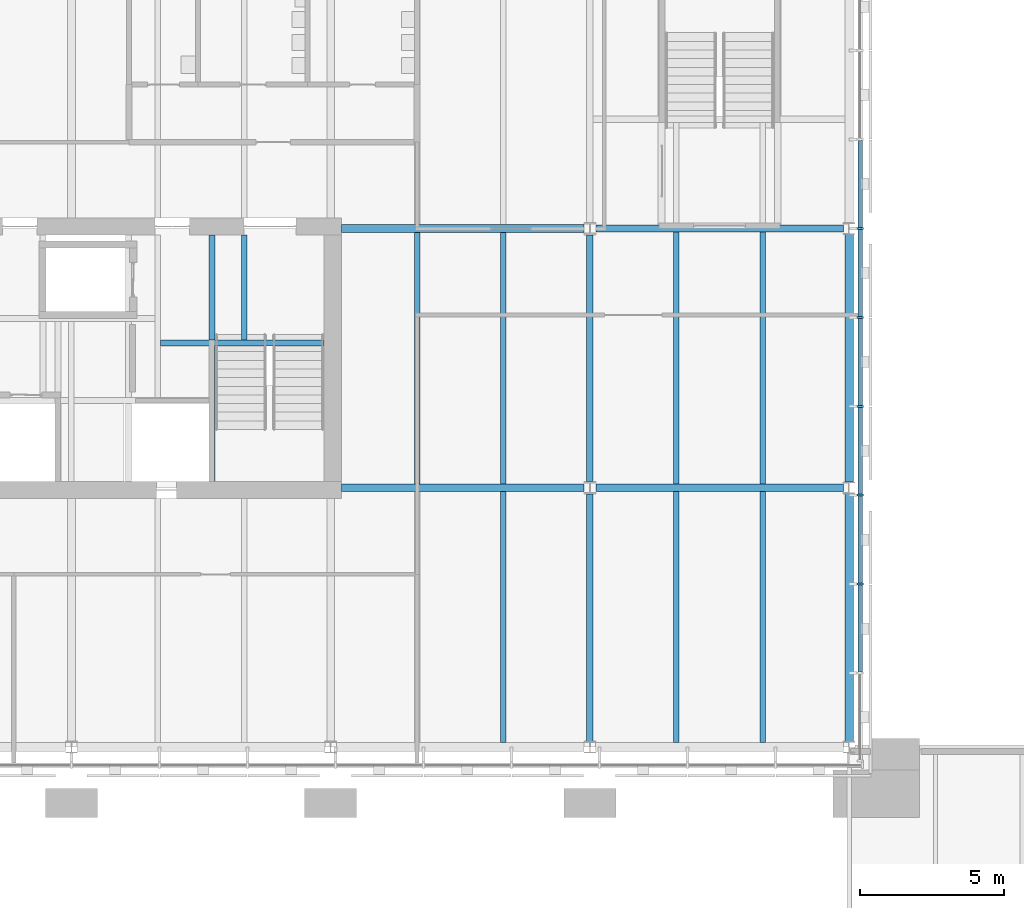
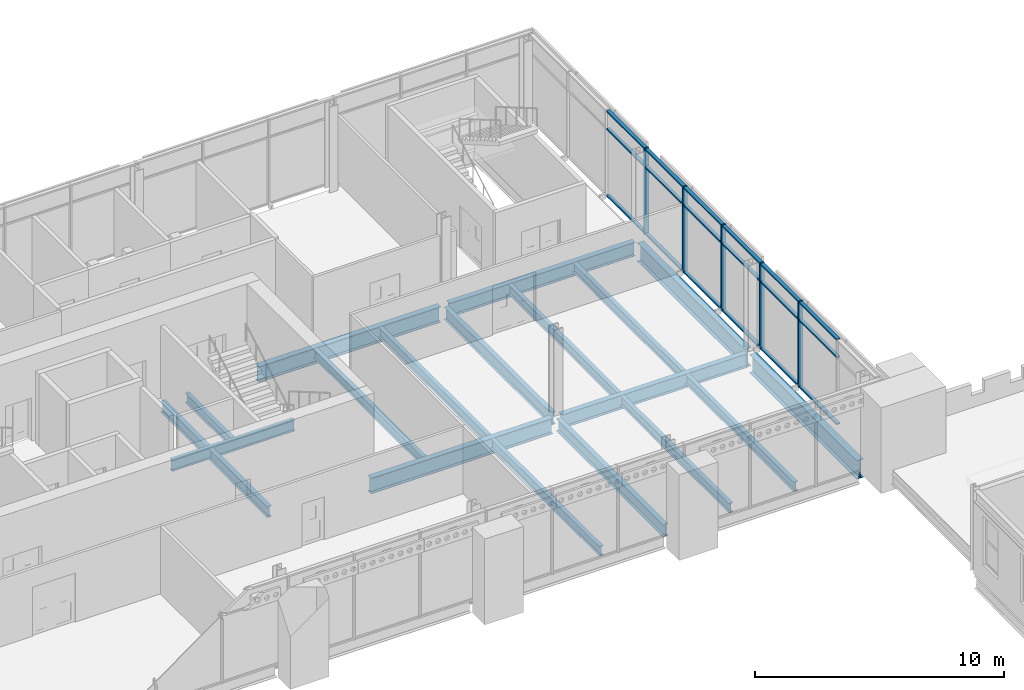
# One storey, part 33 of 123: 23 members, 19 beams, 1 element without a shape of its own.
"""IFC4 building model written with IfcOpenShell, lengths in metres."""

from ifc_helpers import new_model, si_unit, direction, frame, origin, origin_2d, place, context, subcontext, project, spatial, rectangle, i_section, extrude, material, material_profile, profile_set, type_object, element, aggregate, save


model = new_model("IFC4")

# Units and contexts
model_context = context("Model", 3, precision=1e-05, world=origin(), true_north=direction((0.0, 1.0)))
body_context = subcontext(model_context, "Body", "Model", "MODEL_VIEW")
ifc_project = project(units=[si_unit("LENGTHUNIT", "METRE"), si_unit("AREAUNIT", "SQUARE_METRE"), si_unit("VOLUMEUNIT", "CUBIC_METRE"), si_unit("PLANEANGLEUNIT", "RADIAN"), si_unit("MASSUNIT", "GRAM", prefix="KILO")], contexts=[model_context])

# Site, building, storey
site_placement = place(None, origin())
site = spatial("IfcSite", under=ifc_project, at=site_placement, CompositionType="ELEMENT")
building_placement = place(site_placement, origin())
building = spatial("IfcBuilding", under=site, at=building_placement, Name="Baradari Gate Terminus", CompositionType="ELEMENT")
storey_placement = place(building_placement, frame((0.0, 0.0, 7.5)))
storey = spatial("IfcBuildingStorey", under=building, at=storey_placement, Name="L01", CompositionType="ELEMENT", Elevation=7.5)

# Beams
ifc_material_1 = material(Name="Steel S355", Category="steel")
ifc_material_profile_1 = material_profile(ifc_material_1, i_section(OverallWidth=0.19140625, OverallDepth=0.4599609375, WebThickness=0.010009765625, FlangeThickness=0.01611328125, FilletRadius=0.01025390625, at=origin_2d()), Name="UB 457x191x82")
ifc_profile_set_1 = profile_set([ifc_material_profile_1], Name="Steel S355")
beam_type_1 = type_object("IfcBeamType", Name="Core floor beam B23 UB 457x191x82", PredefinedType="BEAM", material=ifc_profile_set_1)
beam_1_placement = place(storey_placement, frame((42.0, 131.129638671875, -0.360107421875), z_axis=(0.0, 1.0, 0.0), x_axis=(-1.0, 0.0, 0.0)))
element("IfcBeam", 1, at=beam_1_placement, inside=storey, type_object=beam_type_1, Name="Core floor beam B23 42:131.13-134.775 L01", PredefinedType="BEAM", context=body_context, shape_type="SweptSolid", body=[
    extrude(i_section(OverallWidth=0.19140625, OverallDepth=0.4599609375, WebThickness=0.010009765625, FlangeThickness=0.01611328125, FilletRadius=0.01025390625, at=origin_2d()), origin(), (0.0, 0.0, 1.0), 3.645263671875),
])
ifc_material_2 = material(Name="Steel S355", Category="steel")
ifc_material_profile_2 = material_profile(ifc_material_2, i_section(OverallWidth=0.209228515625, OverallDepth=0.533203125, WebThickness=0.010009765625, FlangeThickness=0.015625, FilletRadius=0.0126953125, at=origin_2d()), Name="UB 533x210x92")
ifc_profile_set_2 = profile_set([ifc_material_profile_2], Name="Steel S355")
beam_type_2 = type_object("IfcBeamType", Name="Core floor trimmer beam B22 UB 533x210x92", PredefinedType="BEAM", material=ifc_profile_set_2)
beam_2_placement = place(storey_placement, frame((39.095703125, 131.02490234375, -0.396484375), z_axis=(1.0, 0.0, 0.0), x_axis=(0.0, 1.0, 0.0)))
element("IfcBeam", 2, at=beam_2_placement, inside=storey, type_object=beam_type_2, Name="Core floor trimmer beam B22 131.025:39.096-44.775 L01", PredefinedType="BEAM", context=body_context, shape_type="SweptSolid", body=[
    extrude(i_section(OverallWidth=0.209228515625, OverallDepth=0.533203125, WebThickness=0.010009765625, FlangeThickness=0.015625, FilletRadius=0.0126953125, at=origin_2d()), origin(), (0.0, 0.0, 1.0), 5.67919921875),
])
beam_3_placement = place(storey_placement, frame((40.875, 126.22509765625, -0.396484375), z_axis=(0.0, 1.0, 0.0), x_axis=(-1.0, 0.0, 0.0)))
element("IfcBeam", 3, at=beam_3_placement, inside=storey, type_object=beam_type_2, Name="Core floor trimmer beam B22 40.875:126.225-130.92 L01", PredefinedType="BEAM", context=body_context, shape_type="SweptSolid", body=[
    extrude(i_section(OverallWidth=0.209228515625, OverallDepth=0.533203125, WebThickness=0.010009765625, FlangeThickness=0.015625, FilletRadius=0.0126953125, at=origin_2d()), origin(), (0.0, 0.0, 1.0), 4.6953125),
])
beam_4_placement = place(storey_placement, frame((40.875, 131.129638671875, -0.396484375), z_axis=(0.0, 1.0, 0.0), x_axis=(-1.0, 0.0, 0.0)))
element("IfcBeam", 4, at=beam_4_placement, inside=storey, type_object=beam_type_2, Name="Core floor trimmer beam B22 40.875:131.13-134.775 L01", PredefinedType="BEAM", context=body_context, shape_type="SweptSolid", body=[
    extrude(i_section(OverallWidth=0.209228515625, OverallDepth=0.533203125, WebThickness=0.010009765625, FlangeThickness=0.015625, FilletRadius=0.0126953125, at=origin_2d()), origin(), (0.0, 0.0, 1.0), 3.645263671875),
])

# Curtain wall, members
ifc_material_3 = material(Name="Aluminium 6063-T6", Category="aluminium")
curtain_wall_type = type_object("IfcCurtainWallType", Name="Curtain wall CW-9 block gallery storey", PredefinedType="NOTDEFINED", material=ifc_material_3)
curtain_wall_placement = place(storey_placement, origin())
curtain_wall = element("IfcCurtainWall", 5, at=curtain_wall_placement, inside=storey, type_object=curtain_wall_type, Name="Curtain wall CW-9 Operations block E face L01", PredefinedType="NOTDEFINED")
ifc_material_4 = material(Name="Aluminium 6063-T6", Category="aluminium")
ifc_material_profile_3 = material_profile(ifc_material_4, rectangle(XDim=0.22509765625, YDim=0.070068359375, at=origin_2d()), Name="CM-9 70X225")
ifc_profile_set_3 = profile_set([ifc_material_profile_3], Name="Aluminium 6063-T6")
member_type_1 = type_object("IfcMemberType", Name="Curtain wall mullion CM-9 70x225", PredefinedType="MULLION", material=ifc_profile_set_3)
member_1_placement = place(storey_placement, frame((63.382568359375, 122.655517578125, 0.0), z_axis=(0.0, 0.0, 1.0), x_axis=(-1.0, 0.0, 0.0)))
member_1 = element("IfcMember", 6, at=member_1_placement, type_object=member_type_1, Name="CW-9 mullion 3", PredefinedType="MULLION", context=body_context, shape_type="SweptSolid", body=[
    extrude(rectangle(XDim=0.22509765625, YDim=0.070068359375, at=origin_2d()), origin(), (0.0, 0.0, 1.0), 4.199951171875),
])
member_2_placement = place(storey_placement, frame((63.382568359375, 125.743408203125, 0.0), z_axis=(0.0, 0.0, 1.0), x_axis=(-1.0, 0.0, 0.0)))
member_2 = element("IfcMember", 7, at=member_2_placement, type_object=member_type_1, Name="CW-9 mullion 4", PredefinedType="MULLION", context=body_context, shape_type="SweptSolid", body=[
    extrude(rectangle(XDim=0.22509765625, YDim=0.070068359375, at=origin_2d()), origin(), (0.0, 0.0, 1.0), 4.199951171875),
])
member_3_placement = place(storey_placement, frame((63.382568359375, 128.8310546875, 0.0), z_axis=(0.0, 0.0, 1.0), x_axis=(-1.0, 0.0, 0.0)))
member_3 = element("IfcMember", 8, at=member_3_placement, type_object=member_type_1, Name="CW-9 mullion 5", PredefinedType="MULLION", context=body_context, shape_type="SweptSolid", body=[
    extrude(rectangle(XDim=0.22509765625, YDim=0.070068359375, at=origin_2d()), origin(), (0.0, 0.0, 1.0), 4.199951171875),
])
member_4_placement = place(storey_placement, frame((63.382568359375, 131.9189453125, 0.0), z_axis=(0.0, 0.0, 1.0), x_axis=(-1.0, 0.0, 0.0)))
member_4 = element("IfcMember", 9, at=member_4_placement, type_object=member_type_1, Name="CW-9 mullion 6", PredefinedType="MULLION", context=body_context, shape_type="SweptSolid", body=[
    extrude(rectangle(XDim=0.22509765625, YDim=0.070068359375, at=origin_2d()), origin(), (0.0, 0.0, 1.0), 4.199951171875),
])
member_5_placement = place(storey_placement, frame((63.382568359375, 135.006591796875, 0.0), z_axis=(0.0, 0.0, 1.0), x_axis=(-1.0, 0.0, 0.0)))
member_5 = element("IfcMember", 10, at=member_5_placement, type_object=member_type_1, Name="CW-9 mullion 7", PredefinedType="MULLION", context=body_context, shape_type="SweptSolid", body=[
    extrude(rectangle(XDim=0.22509765625, YDim=0.070068359375, at=origin_2d()), origin(), (0.0, 0.0, 1.0), 4.199951171875),
])
ifc_material_5 = material(Name="Aluminium 6063-T6", Category="aluminium")
ifc_material_profile_4 = material_profile(ifc_material_5, rectangle(XDim=0.1650390625, YDim=0.070068359375, at=origin_2d()), Name="CT-9 70X165")
ifc_profile_set_4 = profile_set([ifc_material_profile_4], Name="Aluminium 6063-T6")
member_type_2 = type_object("IfcMemberType", Name="Curtain wall transom CT-9 70x165", PredefinedType="USERDEFINED", material=ifc_profile_set_4)
member_6_placement = place(storey_placement, frame((63.382568359375, 119.602783203125, 0.034912109375), z_axis=(0.0, 1.0, 0.0), x_axis=(-1.0, 0.0, 0.0)))
member_6 = element("IfcMember", 11, at=member_6_placement, type_object=member_type_2, Name="CW-9 transom 2.1", ObjectType="TRANSOM", PredefinedType="USERDEFINED", context=body_context, shape_type="SweptSolid", body=[
    extrude(rectangle(XDim=0.1650390625, YDim=0.070068359375, at=origin_2d()), origin(), (0.0, 0.0, 1.0), 3.017822265625),
])
member_7_placement = place(storey_placement, frame((63.382568359375, 119.602783203125, 3.300048828125), z_axis=(0.0, 1.0, 0.0), x_axis=(-1.0, 0.0, 0.0)))
member_7 = element("IfcMember", 12, at=member_7_placement, type_object=member_type_2, Name="CW-9 transom 2.2", ObjectType="TRANSOM", PredefinedType="USERDEFINED", context=body_context, shape_type="SweptSolid", body=[
    extrude(rectangle(XDim=0.1650390625, YDim=0.070068359375, at=origin_2d()), origin(), (0.0, 0.0, 1.0), 3.017822265625),
])
member_8_placement = place(storey_placement, frame((63.382568359375, 119.602783203125, 4.1650390625), z_axis=(0.0, 1.0, 0.0), x_axis=(-1.0, 0.0, 0.0)))
member_8 = element("IfcMember", 13, at=member_8_placement, type_object=member_type_2, Name="CW-9 transom 2.3", ObjectType="TRANSOM", PredefinedType="USERDEFINED", context=body_context, shape_type="SweptSolid", body=[
    extrude(rectangle(XDim=0.1650390625, YDim=0.070068359375, at=origin_2d()), origin(), (0.0, 0.0, 1.0), 3.017822265625),
])
member_9_placement = place(storey_placement, frame((63.382568359375, 122.690673828125, 0.034912109375), z_axis=(0.0, 1.0, 0.0), x_axis=(-1.0, 0.0, 0.0)))
member_9 = element("IfcMember", 14, at=member_9_placement, type_object=member_type_2, Name="CW-9 transom 3.1", ObjectType="TRANSOM", PredefinedType="USERDEFINED", context=body_context, shape_type="SweptSolid", body=[
    extrude(rectangle(XDim=0.1650390625, YDim=0.070068359375, at=origin_2d()), origin(), (0.0, 0.0, 1.0), 3.017578125),
])
member_10_placement = place(storey_placement, frame((63.382568359375, 122.690673828125, 3.300048828125), z_axis=(0.0, 1.0, 0.0), x_axis=(-1.0, 0.0, 0.0)))
member_10 = element("IfcMember", 15, at=member_10_placement, type_object=member_type_2, Name="CW-9 transom 3.2", ObjectType="TRANSOM", PredefinedType="USERDEFINED", context=body_context, shape_type="SweptSolid", body=[
    extrude(rectangle(XDim=0.1650390625, YDim=0.070068359375, at=origin_2d()), origin(), (0.0, 0.0, 1.0), 3.017578125),
])
member_11_placement = place(storey_placement, frame((63.382568359375, 122.690673828125, 4.1650390625), z_axis=(0.0, 1.0, 0.0), x_axis=(-1.0, 0.0, 0.0)))
member_11 = element("IfcMember", 16, at=member_11_placement, type_object=member_type_2, Name="CW-9 transom 3.3", ObjectType="TRANSOM", PredefinedType="USERDEFINED", context=body_context, shape_type="SweptSolid", body=[
    extrude(rectangle(XDim=0.1650390625, YDim=0.070068359375, at=origin_2d()), origin(), (0.0, 0.0, 1.0), 3.017578125),
])
member_12_placement = place(storey_placement, frame((63.382568359375, 125.7783203125, 0.034912109375), z_axis=(0.0, 1.0, 0.0), x_axis=(-1.0, 0.0, 0.0)))
member_12 = element("IfcMember", 17, at=member_12_placement, type_object=member_type_2, Name="CW-9 transom 4.1", ObjectType="TRANSOM", PredefinedType="USERDEFINED", context=body_context, shape_type="SweptSolid", body=[
    extrude(rectangle(XDim=0.1650390625, YDim=0.070068359375, at=origin_2d()), origin(), (0.0, 0.0, 1.0), 3.017822265625),
])
member_13_placement = place(storey_placement, frame((63.382568359375, 125.7783203125, 3.300048828125), z_axis=(0.0, 1.0, 0.0), x_axis=(-1.0, 0.0, 0.0)))
member_13 = element("IfcMember", 18, at=member_13_placement, type_object=member_type_2, Name="CW-9 transom 4.2", ObjectType="TRANSOM", PredefinedType="USERDEFINED", context=body_context, shape_type="SweptSolid", body=[
    extrude(rectangle(XDim=0.1650390625, YDim=0.070068359375, at=origin_2d()), origin(), (0.0, 0.0, 1.0), 3.017822265625),
])
member_14_placement = place(storey_placement, frame((63.382568359375, 125.7783203125, 4.1650390625), z_axis=(0.0, 1.0, 0.0), x_axis=(-1.0, 0.0, 0.0)))
member_14 = element("IfcMember", 19, at=member_14_placement, type_object=member_type_2, Name="CW-9 transom 4.3", ObjectType="TRANSOM", PredefinedType="USERDEFINED", context=body_context, shape_type="SweptSolid", body=[
    extrude(rectangle(XDim=0.1650390625, YDim=0.070068359375, at=origin_2d()), origin(), (0.0, 0.0, 1.0), 3.017822265625),
])
member_15_placement = place(storey_placement, frame((63.382568359375, 128.8662109375, 0.034912109375), z_axis=(0.0, 1.0, 0.0), x_axis=(-1.0, 0.0, 0.0)))
member_15 = element("IfcMember", 20, at=member_15_placement, type_object=member_type_2, Name="CW-9 transom 5.1", ObjectType="TRANSOM", PredefinedType="USERDEFINED", context=body_context, shape_type="SweptSolid", body=[
    extrude(rectangle(XDim=0.1650390625, YDim=0.070068359375, at=origin_2d()), origin(), (0.0, 0.0, 1.0), 3.017578125),
])
member_16_placement = place(storey_placement, frame((63.382568359375, 128.8662109375, 3.300048828125), z_axis=(0.0, 1.0, 0.0), x_axis=(-1.0, 0.0, 0.0)))
member_16 = element("IfcMember", 21, at=member_16_placement, type_object=member_type_2, Name="CW-9 transom 5.2", ObjectType="TRANSOM", PredefinedType="USERDEFINED", context=body_context, shape_type="SweptSolid", body=[
    extrude(rectangle(XDim=0.1650390625, YDim=0.070068359375, at=origin_2d()), origin(), (0.0, 0.0, 1.0), 3.017578125),
])
member_17_placement = place(storey_placement, frame((63.382568359375, 128.8662109375, 4.1650390625), z_axis=(0.0, 1.0, 0.0), x_axis=(-1.0, 0.0, 0.0)))
member_17 = element("IfcMember", 22, at=member_17_placement, type_object=member_type_2, Name="CW-9 transom 5.3", ObjectType="TRANSOM", PredefinedType="USERDEFINED", context=body_context, shape_type="SweptSolid", body=[
    extrude(rectangle(XDim=0.1650390625, YDim=0.070068359375, at=origin_2d()), origin(), (0.0, 0.0, 1.0), 3.017578125),
])
member_18_placement = place(storey_placement, frame((63.382568359375, 131.953857421875, 0.034912109375), z_axis=(0.0, 1.0, 0.0), x_axis=(-1.0, 0.0, 0.0)))
member_18 = element("IfcMember", 23, at=member_18_placement, type_object=member_type_2, Name="CW-9 transom 6.1", ObjectType="TRANSOM", PredefinedType="USERDEFINED", context=body_context, shape_type="SweptSolid", body=[
    extrude(rectangle(XDim=0.1650390625, YDim=0.070068359375, at=origin_2d()), origin(), (0.0, 0.0, 1.0), 3.017822265625),
])
member_19_placement = place(storey_placement, frame((63.382568359375, 131.953857421875, 3.300048828125), z_axis=(0.0, 1.0, 0.0), x_axis=(-1.0, 0.0, 0.0)))
member_19 = element("IfcMember", 24, at=member_19_placement, type_object=member_type_2, Name="CW-9 transom 6.2", ObjectType="TRANSOM", PredefinedType="USERDEFINED", context=body_context, shape_type="SweptSolid", body=[
    extrude(rectangle(XDim=0.1650390625, YDim=0.070068359375, at=origin_2d()), origin(), (0.0, 0.0, 1.0), 3.017822265625),
])
member_20_placement = place(storey_placement, frame((63.382568359375, 131.953857421875, 4.1650390625), z_axis=(0.0, 1.0, 0.0), x_axis=(-1.0, 0.0, 0.0)))
member_20 = element("IfcMember", 25, at=member_20_placement, type_object=member_type_2, Name="CW-9 transom 6.3", ObjectType="TRANSOM", PredefinedType="USERDEFINED", context=body_context, shape_type="SweptSolid", body=[
    extrude(rectangle(XDim=0.1650390625, YDim=0.070068359375, at=origin_2d()), origin(), (0.0, 0.0, 1.0), 3.017822265625),
])
member_21_placement = place(storey_placement, frame((63.382568359375, 135.041748046875, 0.034912109375), z_axis=(0.0, 1.0, 0.0), x_axis=(-1.0, 0.0, 0.0)))
member_21 = element("IfcMember", 26, at=member_21_placement, type_object=member_type_2, Name="CW-9 transom 7.1", ObjectType="TRANSOM", PredefinedType="USERDEFINED", context=body_context, shape_type="SweptSolid", body=[
    extrude(rectangle(XDim=0.1650390625, YDim=0.070068359375, at=origin_2d()), origin(), (0.0, 0.0, 1.0), 3.017578125),
])
member_22_placement = place(storey_placement, frame((63.382568359375, 135.041748046875, 3.300048828125), z_axis=(0.0, 1.0, 0.0), x_axis=(-1.0, 0.0, 0.0)))
member_22 = element("IfcMember", 27, at=member_22_placement, type_object=member_type_2, Name="CW-9 transom 7.2", ObjectType="TRANSOM", PredefinedType="USERDEFINED", context=body_context, shape_type="SweptSolid", body=[
    extrude(rectangle(XDim=0.1650390625, YDim=0.070068359375, at=origin_2d()), origin(), (0.0, 0.0, 1.0), 3.017578125),
])
member_23_placement = place(storey_placement, frame((63.382568359375, 135.041748046875, 4.1650390625), z_axis=(0.0, 1.0, 0.0), x_axis=(-1.0, 0.0, 0.0)))
member_23 = element("IfcMember", 28, at=member_23_placement, type_object=member_type_2, Name="CW-9 transom 7.3", ObjectType="TRANSOM", PredefinedType="USERDEFINED", context=body_context, shape_type="SweptSolid", body=[
    extrude(rectangle(XDim=0.1650390625, YDim=0.070068359375, at=origin_2d()), origin(), (0.0, 0.0, 1.0), 3.017578125),
])
aggregate(curtain_wall, [member_1, member_2, member_3, member_4, member_5, member_6, member_7, member_8, member_9, member_10, member_11, member_12, member_13, member_14, member_15, member_16, member_17, member_18, member_19, member_20, member_21, member_22, member_23])

# Beams
ifc_material_6 = material(Name="Steel S355", Category="steel")
ifc_material_profile_5 = material_profile(ifc_material_6, i_section(OverallWidth=0.26806640625, OverallDepth=0.769775390625, WebThickness=0.015625, FlangeThickness=0.025390625, FilletRadius=0.0166015625, at=origin_2d()), Name="UB 762x267x197")
ifc_profile_set_5 = profile_set([ifc_material_profile_5], Name="Steel S355")
beam_type_3 = type_object("IfcBeamType", Name="Operations block coupling beam B03 UB 762x267x197", PredefinedType="BEAM", material=ifc_profile_set_5)
for number, where, z_axis, x_axis, name in (
    (29, (45.375, 126.0, -0.514892578125), (1.0, 0.0, 0.0), (0.0, 1.0, 0.0), "Operations block coupling beam B03 Q:45.375-53.794 L01"),
    (30, (45.375, 135.0, -0.514892578125), (1.0, 0.0, 0.0), (0.0, 1.0, 0.0), "Operations block coupling beam B03 R:45.375-53.794 L01"),
):
    element("IfcBeam", number, at=place(storey_placement, frame(where, z_axis=z_axis, x_axis=x_axis)), inside=storey, type_object=beam_type_3, Name=name, PredefinedType="BEAM", context=body_context, shape_type="SweptSolid", body=[
        extrude(i_section(OverallWidth=0.26806640625, OverallDepth=0.769775390625, WebThickness=0.015625, FlangeThickness=0.025390625, FilletRadius=0.0166015625, at=origin_2d()), origin(), (0.0, 0.0, 1.0), 8.4189453125),
    ])
ifc_material_7 = material(Name="Steel S355", Category="steel")
ifc_material_profile_6 = material_profile(ifc_material_7, i_section(OverallWidth=0.2529296875, OverallDepth=0.677978515625, WebThickness=0.01171875, FlangeThickness=0.01611328125, FilletRadius=0.01513671875, at=origin_2d()), Name="UB 686x254x125")
ifc_profile_set_6 = profile_set([ifc_material_profile_6], Name="Steel S355")
beam_type_4 = type_object("IfcBeamType", Name="Operations block girder B02 UB 686x254x125", PredefinedType="BEAM", material=ifc_profile_set_6)
for number, where, z_axis, x_axis, name in (
    (31, (54.2060546875, 126.0, -0.468994140625), (1.0, 0.0, 0.0), (0.0, 1.0, 0.0), "Operations block girder B02 Q:54.206-62.8 L01"),
    (32, (54.2060546875, 135.0, -0.468994140625), (1.0, 0.0, 0.0), (0.0, 1.0, 0.0), "Operations block girder B02 R:54.206-62.8 L01"),
):
    element("IfcBeam", number, at=place(storey_placement, frame(where, z_axis=z_axis, x_axis=x_axis)), inside=storey, type_object=beam_type_4, Name=name, PredefinedType="BEAM", context=body_context, shape_type="SweptSolid", body=[
        extrude(i_section(OverallWidth=0.2529296875, OverallDepth=0.677978515625, WebThickness=0.01171875, FlangeThickness=0.01611328125, FilletRadius=0.01513671875, at=origin_2d()), origin(), (0.0, 0.0, 1.0), 8.594482421875),
    ])
ifc_material_8 = material(Name="Steel S355", Category="steel")
ifc_material_profile_7 = material_profile(ifc_material_8, i_section(OverallWidth=0.2275390625, OverallDepth=0.6025390625, WebThickness=0.010498046875, FlangeThickness=0.014892578125, FilletRadius=0.0126953125, at=origin_2d()), Name="UB 610x229x101")
ifc_profile_set_7 = profile_set([ifc_material_profile_7], Name="Steel S355")
beam_type_5 = type_object("IfcBeamType", Name="Operations block girder B06 UB 610x229x101", PredefinedType="BEAM", material=ifc_profile_set_7)
beam_5_placement = place(storey_placement, frame((54.0, 117.19677734375, -0.431396484375), z_axis=(0.0, 1.0, 0.0), x_axis=(-1.0, 0.0, 0.0)))
element("IfcBeam", 33, at=beam_5_placement, inside=storey, type_object=beam_type_5, Name="Operations block girder B06 7:117.197-125.782 L01", PredefinedType="BEAM", context=body_context, shape_type="SweptSolid", body=[
    extrude(i_section(OverallWidth=0.2275390625, OverallDepth=0.6025390625, WebThickness=0.010498046875, FlangeThickness=0.014892578125, FilletRadius=0.0126953125, at=origin_2d()), origin(), (0.0, 0.0, 1.0), 8.5849609375),
])
beam_6_placement = place(storey_placement, frame((54.0, 126.21826171875, -0.431396484375), z_axis=(0.0, 1.0, 0.0), x_axis=(-1.0, 0.0, 0.0)))
element("IfcBeam", 34, at=beam_6_placement, inside=storey, type_object=beam_type_5, Name="Operations block girder B06 7:126.218-134.782 L01", PredefinedType="BEAM", context=body_context, shape_type="SweptSolid", body=[
    extrude(i_section(OverallWidth=0.2275390625, OverallDepth=0.6025390625, WebThickness=0.010498046875, FlangeThickness=0.014892578125, FilletRadius=0.0126953125, at=origin_2d()), origin(), (0.0, 0.0, 1.0), 8.5634765625),
])
ifc_material_9 = material(Name="Steel S355", Category="steel")
ifc_material_profile_8 = material_profile(ifc_material_9, i_section(OverallWidth=0.30419921875, OverallDepth=0.910400390625, WebThickness=0.015869140625, FlangeThickness=0.02392578125, FilletRadius=0.01904296875, at=origin_2d()), Name="UB 914x305x224")
ifc_profile_set_8 = profile_set([ifc_material_profile_8], Name="Steel S355")
beam_type_6 = type_object("IfcBeamType", Name="Operations block moment frame beam B01 UB 914x305x224", PredefinedType="BEAM", material=ifc_profile_set_8)
for number, where, z_axis, x_axis, name in (
    (35, (63.0, 117.19677734375, -0.585205078125), (0.0, 1.0, 0.0), (-1.0, 0.0, 0.0), "Operations block moment frame beam B01 8:117.197-125.803 L01"),
    (36, (63.0, 126.19677734375, -0.585205078125), (0.0, 1.0, 0.0), (-1.0, 0.0, 0.0), "Operations block moment frame beam B01 8:126.197-134.803 L01"),
):
    element("IfcBeam", number, at=place(storey_placement, frame(where, z_axis=z_axis, x_axis=x_axis)), inside=storey, type_object=beam_type_6, Name=name, PredefinedType="BEAM", context=body_context, shape_type="SweptSolid", body=[
        extrude(i_section(OverallWidth=0.30419921875, OverallDepth=0.910400390625, WebThickness=0.015869140625, FlangeThickness=0.02392578125, FilletRadius=0.01904296875, at=origin_2d()), origin(), (0.0, 0.0, 1.0), 8.6064453125),
    ])
ifc_material_10 = material(Name="Steel S355", Category="steel")
ifc_material_profile_9 = material_profile(ifc_material_10, i_section(OverallWidth=0.19140625, OverallDepth=0.4599609375, WebThickness=0.010009765625, FlangeThickness=0.01611328125, FilletRadius=0.01025390625, at=origin_2d()), Name="UB 457x191x82")
ifc_profile_set_9 = profile_set([ifc_material_profile_9], Name="Steel S355")
beam_type_7 = type_object("IfcBeamType", Name="Operations block secondary beam B05 UB 457x191x82", PredefinedType="BEAM", material=ifc_profile_set_9)
beam_7_placement = place(storey_placement, frame((48.0, 126.134033203125, -0.360107421875), z_axis=(0.0, 1.0, 0.0), x_axis=(-1.0, 0.0, 0.0)))
element("IfcBeam", 37, at=beam_7_placement, inside=storey, type_object=beam_type_7, Name="Operations block secondary beam B05 48:126.134-134.866 L01", PredefinedType="BEAM", context=body_context, shape_type="SweptSolid", body=[
    extrude(i_section(OverallWidth=0.19140625, OverallDepth=0.4599609375, WebThickness=0.010009765625, FlangeThickness=0.01611328125, FilletRadius=0.01025390625, at=origin_2d()), origin(), (0.0, 0.0, 1.0), 8.73193359375),
])
beam_8_placement = place(storey_placement, frame((51.0, 117.152099609375, -0.360107421875), z_axis=(0.0, 1.0, 0.0), x_axis=(-1.0, 0.0, 0.0)))
element("IfcBeam", 38, at=beam_8_placement, inside=storey, type_object=beam_type_7, Name="Operations block secondary beam B05 51:117.152-125.866 L01", PredefinedType="BEAM", context=body_context, shape_type="SweptSolid", body=[
    extrude(i_section(OverallWidth=0.19140625, OverallDepth=0.4599609375, WebThickness=0.010009765625, FlangeThickness=0.01611328125, FilletRadius=0.01025390625, at=origin_2d()), origin(), (0.0, 0.0, 1.0), 8.7138671875),
])
beam_9_placement = place(storey_placement, frame((51.0, 126.134033203125, -0.360107421875), z_axis=(0.0, 1.0, 0.0), x_axis=(-1.0, 0.0, 0.0)))
element("IfcBeam", 39, at=beam_9_placement, inside=storey, type_object=beam_type_7, Name="Operations block secondary beam B05 51:126.134-134.866 L01", PredefinedType="BEAM", context=body_context, shape_type="SweptSolid", body=[
    extrude(i_section(OverallWidth=0.19140625, OverallDepth=0.4599609375, WebThickness=0.010009765625, FlangeThickness=0.01611328125, FilletRadius=0.01025390625, at=origin_2d()), origin(), (0.0, 0.0, 1.0), 8.73193359375),
])
beam_10_placement = place(storey_placement, frame((57.0, 117.152099609375, -0.360107421875), z_axis=(0.0, 1.0, 0.0), x_axis=(-1.0, 0.0, 0.0)))
element("IfcBeam", 40, at=beam_10_placement, inside=storey, type_object=beam_type_7, Name="Operations block secondary beam B05 57:117.152-125.874 L01", PredefinedType="BEAM", context=body_context, shape_type="SweptSolid", body=[
    extrude(i_section(OverallWidth=0.19140625, OverallDepth=0.4599609375, WebThickness=0.010009765625, FlangeThickness=0.01611328125, FilletRadius=0.01025390625, at=origin_2d()), origin(), (0.0, 0.0, 1.0), 8.721435546875),
])
beam_11_placement = place(storey_placement, frame((57.0, 126.12646484375, -0.360107421875), z_axis=(0.0, 1.0, 0.0), x_axis=(-1.0, 0.0, 0.0)))
element("IfcBeam", 41, at=beam_11_placement, inside=storey, type_object=beam_type_7, Name="Operations block secondary beam B05 57:126.126-134.874 L01", PredefinedType="BEAM", context=body_context, shape_type="SweptSolid", body=[
    extrude(i_section(OverallWidth=0.19140625, OverallDepth=0.4599609375, WebThickness=0.010009765625, FlangeThickness=0.01611328125, FilletRadius=0.01025390625, at=origin_2d()), origin(), (0.0, 0.0, 1.0), 8.7470703125),
])
beam_12_placement = place(storey_placement, frame((60.0, 117.152099609375, -0.360107421875), z_axis=(0.0, 1.0, 0.0), x_axis=(-1.0, 0.0, 0.0)))
element("IfcBeam", 42, at=beam_12_placement, inside=storey, type_object=beam_type_7, Name="Operations block secondary beam B05 60:117.152-125.874 L01", PredefinedType="BEAM", context=body_context, shape_type="SweptSolid", body=[
    extrude(i_section(OverallWidth=0.19140625, OverallDepth=0.4599609375, WebThickness=0.010009765625, FlangeThickness=0.01611328125, FilletRadius=0.01025390625, at=origin_2d()), origin(), (0.0, 0.0, 1.0), 8.721435546875),
])
beam_13_placement = place(storey_placement, frame((60.0, 126.12646484375, -0.360107421875), z_axis=(0.0, 1.0, 0.0), x_axis=(-1.0, 0.0, 0.0)))
element("IfcBeam", 43, at=beam_13_placement, inside=storey, type_object=beam_type_7, Name="Operations block secondary beam B05 60:126.126-134.874 L01", PredefinedType="BEAM", context=body_context, shape_type="SweptSolid", body=[
    extrude(i_section(OverallWidth=0.19140625, OverallDepth=0.4599609375, WebThickness=0.010009765625, FlangeThickness=0.01611328125, FilletRadius=0.01025390625, at=origin_2d()), origin(), (0.0, 0.0, 1.0), 8.7470703125),
])

save(model, "model.ifc")
